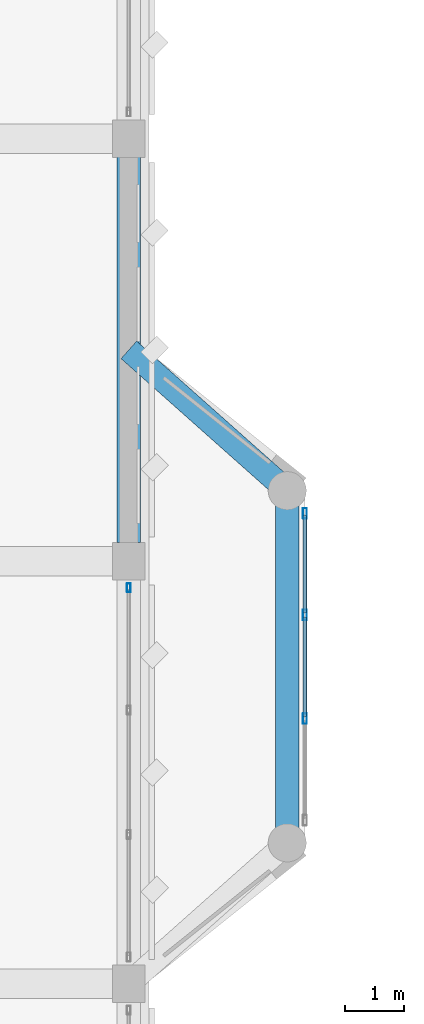
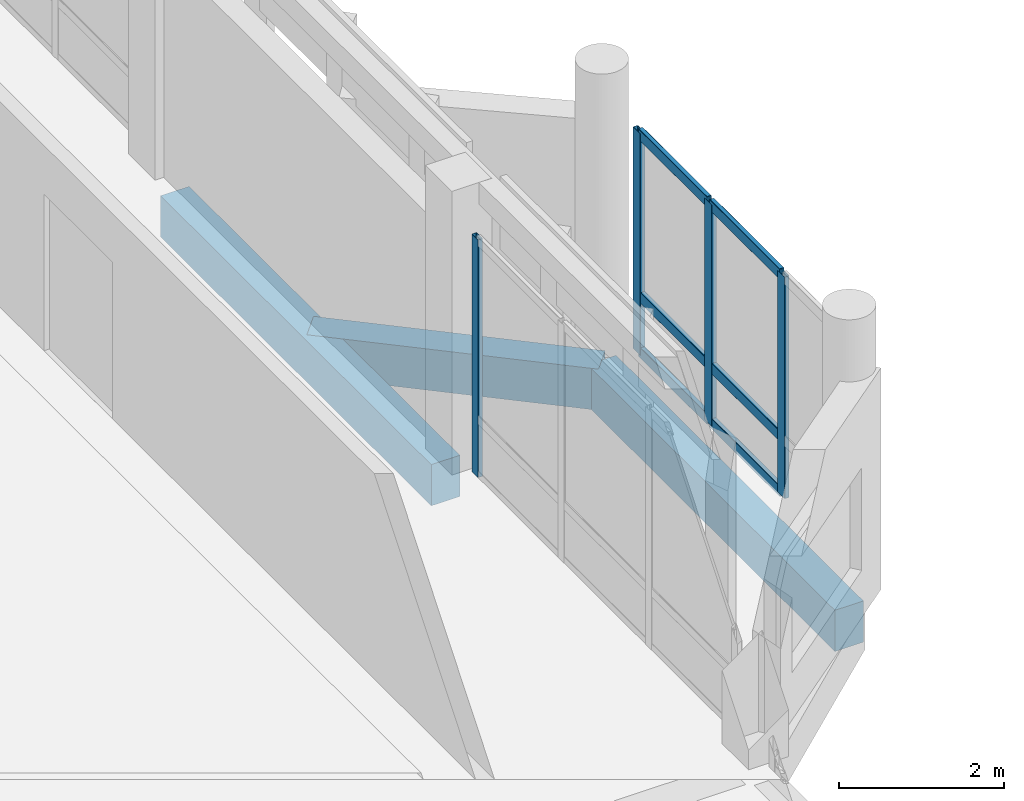
# One storey, part 37 of 158: 10 members, 3 beams, 2 elements without a shape of their own.
"""IFC4 building model written with IfcOpenShell, lengths in metres."""

from ifc_helpers import new_model, si_unit, direction, frame, origin, origin_2d, place, context, subcontext, project, spatial, rectangle, hollow_rectangle, extrude, material, material_profile, profile_set, type_object, element, aggregate, save


model = new_model("IFC4")

# Units and contexts
model_context = context("Model", 3, precision=1e-05, world=origin(), true_north=direction((0.0, 1.0)))
body_context = subcontext(model_context, "Body", "Model", "MODEL_VIEW")
ifc_project = project(units=[si_unit("LENGTHUNIT", "METRE"), si_unit("AREAUNIT", "SQUARE_METRE"), si_unit("VOLUMEUNIT", "CUBIC_METRE"), si_unit("PLANEANGLEUNIT", "RADIAN"), si_unit("MASSUNIT", "GRAM", prefix="KILO")], contexts=[model_context])

# Site, building, storey
site_placement = place(None, origin())
site = spatial("IfcSite", under=ifc_project, at=site_placement, CompositionType="ELEMENT")
building_placement = place(site_placement, origin())
building = spatial("IfcBuilding", under=site, at=building_placement, Name="Lusvemor Sports Hall", CompositionType="ELEMENT")
storey_placement = place(building_placement, frame((0.0, 0.0, 10.800048828125)))
storey = spatial("IfcBuildingStorey", under=building, at=storey_placement, Name="L02", CompositionType="ELEMENT", Elevation=10.800048828125)

# Curtain wall, members
ifc_material_1 = material(Name="Thermally broken bronze-anodized aluminium", Category="aluminium")
curtain_wall_type_1 = type_object("IfcCurtainWallType", Name="CW_FOYER_A", PredefinedType="NOTDEFINED", material=ifc_material_1)
curtain_wall_1_placement = place(storey_placement, origin())
curtain_wall_1 = element("IfcCurtainWall", 1, at=curtain_wall_1_placement, inside=storey, type_object=curtain_wall_type_1, Name="Curtain Wall CW-BOW-CT-L02-M", PredefinedType="NOTDEFINED")
ifc_material_2 = material(Name="Thermally broken bronze-anodized aluminium", Category="aluminium")
ifc_material_profile_1 = material_profile(ifc_material_2, hollow_rectangle(XDim=0.070068359375, YDim=0.179931640625, WallThickness=0.0048828125, InnerFilletRadius=0.0048828125, OuterFilletRadius=0.010009765625, at=origin_2d()), Name="CWMUL180x70x5")
ifc_profile_set_1 = profile_set([ifc_material_profile_1], Name="Thermally broken bronze-anodized aluminium")
member_type_1 = type_object("IfcMemberType", Name="CW_MUL_A", PredefinedType="MULLION", material=ifc_profile_set_1)
member_1_placement = place(storey_placement, frame((24.60009765625, 83.614990234375, 0.0), z_axis=(0.0, 0.0, 1.0), x_axis=(1.0, 0.0, 0.0)))
member_1 = element("IfcMember", 2, at=member_1_placement, type_object=member_type_1, Name="CW01 mullion 1", PredefinedType="MULLION", context=body_context, shape_type="SweptSolid", body=[
    extrude(hollow_rectangle(XDim=0.070068359375, YDim=0.179931640625, WallThickness=0.0048828125, InnerFilletRadius=0.0048828125, OuterFilletRadius=0.010009765625, at=origin_2d()), origin(), (0.0, 0.0, 1.0), 3.280029296875),
])
member_2_placement = place(storey_placement, frame((24.60009765625, 81.88330078125, 0.0), z_axis=(0.0, 0.0, 1.0), x_axis=(1.0, 0.0, 0.0)))
member_2 = element("IfcMember", 3, at=member_2_placement, type_object=member_type_1, Name="CW01 mullion 2", PredefinedType="MULLION", context=body_context, shape_type="SweptSolid", body=[
    extrude(hollow_rectangle(XDim=0.070068359375, YDim=0.179931640625, WallThickness=0.0048828125, InnerFilletRadius=0.0048828125, OuterFilletRadius=0.010009765625, at=origin_2d()), origin(), (0.0, 0.0, 1.0), 3.280029296875),
])
member_3_placement = place(storey_placement, frame((24.60009765625, 80.11669921875, 0.0), z_axis=(0.0, 0.0, 1.0), x_axis=(1.0, 0.0, 0.0)))
member_3 = element("IfcMember", 4, at=member_3_placement, type_object=member_type_1, Name="CW01 mullion 3", PredefinedType="MULLION", context=body_context, shape_type="SweptSolid", body=[
    extrude(hollow_rectangle(XDim=0.070068359375, YDim=0.179931640625, WallThickness=0.0048828125, InnerFilletRadius=0.0048828125, OuterFilletRadius=0.010009765625, at=origin_2d()), origin(), (0.0, 0.0, 1.0), 3.280029296875),
])

# Curtain wall, member
ifc_material_3 = material(Name="Thermally broken bronze-anodized aluminium", Category="aluminium")
curtain_wall_type_2 = type_object("IfcCurtainWallType", Name="CW_WING_B", PredefinedType="NOTDEFINED", material=ifc_material_3)
curtain_wall_2_placement = place(storey_placement, origin())
curtain_wall_2 = element("IfcCurtainWall", 5, at=curtain_wall_2_placement, inside=storey, type_object=curtain_wall_type_2, Name="Curtain Wall CW-L02-E-5-4", PredefinedType="NOTDEFINED")
ifc_material_4 = material(Name="Thermally broken bronze-anodized aluminium", Category="aluminium")
ifc_material_profile_2 = material_profile(ifc_material_4, hollow_rectangle(XDim=0.06494140625, YDim=0.14990234375, WallThickness=0.00390625, InnerFilletRadius=0.00390625, OuterFilletRadius=0.008056640625, at=origin_2d()), Name="CWMUL150x65x4")
ifc_profile_set_2 = profile_set([ifc_material_profile_2], Name="Thermally broken bronze-anodized aluminium")
member_type_2 = type_object("IfcMemberType", Name="CW_MUL_B", PredefinedType="MULLION", material=ifc_profile_set_2)
member_4_placement = place(storey_placement, frame((21.60009765625, 82.347412109375, 0.0), z_axis=(0.0, 0.0, 1.0), x_axis=(1.0, 0.0, 0.0)))
member_4 = element("IfcMember", 6, at=member_4_placement, type_object=member_type_2, Name="CW02 mullion 1", PredefinedType="MULLION", context=body_context, shape_type="SweptSolid", body=[
    extrude(hollow_rectangle(XDim=0.06494140625, YDim=0.14990234375, WallThickness=0.00390625, InnerFilletRadius=0.00390625, OuterFilletRadius=0.008056640625, at=origin_2d()), origin(), (0.0, 0.0, 1.0), 3.52001953125),
])
aggregate(curtain_wall_2, [member_4])

# Member
ifc_material_5 = material(Name="Thermally broken bronze-anodized aluminium", Category="aluminium")
ifc_material_profile_3 = material_profile(ifc_material_5, hollow_rectangle(XDim=0.06494140625, YDim=0.159912109375, WallThickness=0.00390625, InnerFilletRadius=0.00390625, OuterFilletRadius=0.008056640625, at=origin_2d()), Name="CWTRN160x65x4")
ifc_profile_set_3 = profile_set([ifc_material_profile_3], Name="Thermally broken bronze-anodized aluminium")
member_type_3 = type_object("IfcMemberType", Name="CW_TRN_A", PredefinedType="USERDEFINED", material=ifc_profile_set_3)
member_5_placement = place(storey_placement, frame((24.60009765625, 83.580078125, 0.032470703125), z_axis=(0.0, -1.0, 0.0), x_axis=(1.0, 0.0, 0.0)))
member_5 = element("IfcMember", 7, at=member_5_placement, type_object=member_type_3, Name="CW01 transom 1.1", ObjectType="TRANSOM", PredefinedType="USERDEFINED", context=body_context, shape_type="SweptSolid", body=[
    extrude(hollow_rectangle(XDim=0.06494140625, YDim=0.159912109375, WallThickness=0.00390625, InnerFilletRadius=0.00390625, OuterFilletRadius=0.008056640625, at=origin_2d()), origin(), (0.0, 0.0, 1.0), 1.661865234375),
])

member_6_placement = place(storey_placement, frame((24.60009765625, 83.580078125, 0.849853515625), z_axis=(0.0, -1.0, 0.0), x_axis=(1.0, 0.0, 0.0)))
member_6 = element("IfcMember", 8, at=member_6_placement, type_object=member_type_3, Name="CW01 transom 1.2", ObjectType="TRANSOM", PredefinedType="USERDEFINED", context=body_context, shape_type="SweptSolid", body=[
    extrude(hollow_rectangle(XDim=0.06494140625, YDim=0.159912109375, WallThickness=0.00390625, InnerFilletRadius=0.00390625, OuterFilletRadius=0.008056640625, at=origin_2d()), origin(), (0.0, 0.0, 1.0), 1.661865234375),
])

member_7_placement = place(storey_placement, frame((24.60009765625, 83.580078125, 3.24755859375), z_axis=(0.0, -1.0, 0.0), x_axis=(1.0, 0.0, 0.0)))
member_7 = element("IfcMember", 9, at=member_7_placement, type_object=member_type_3, Name="CW01 transom 1.3", ObjectType="TRANSOM", PredefinedType="USERDEFINED", context=body_context, shape_type="SweptSolid", body=[
    extrude(hollow_rectangle(XDim=0.06494140625, YDim=0.159912109375, WallThickness=0.00390625, InnerFilletRadius=0.00390625, OuterFilletRadius=0.008056640625, at=origin_2d()), origin(), (0.0, 0.0, 1.0), 1.661865234375),
])

member_8_placement = place(storey_placement, frame((24.60009765625, 81.848388671875, 0.032470703125), z_axis=(0.0, -1.0, 0.0), x_axis=(1.0, 0.0, 0.0)))
member_8 = element("IfcMember", 10, at=member_8_placement, type_object=member_type_3, Name="CW01 transom 2.1", ObjectType="TRANSOM", PredefinedType="USERDEFINED", context=body_context, shape_type="SweptSolid", body=[
    extrude(hollow_rectangle(XDim=0.06494140625, YDim=0.159912109375, WallThickness=0.00390625, InnerFilletRadius=0.00390625, OuterFilletRadius=0.008056640625, at=origin_2d()), origin(), (0.0, 0.0, 1.0), 1.69677734375),
])

member_9_placement = place(storey_placement, frame((24.60009765625, 81.848388671875, 0.849853515625), z_axis=(0.0, -1.0, 0.0), x_axis=(1.0, 0.0, 0.0)))
member_9 = element("IfcMember", 11, at=member_9_placement, type_object=member_type_3, Name="CW01 transom 2.2", ObjectType="TRANSOM", PredefinedType="USERDEFINED", context=body_context, shape_type="SweptSolid", body=[
    extrude(hollow_rectangle(XDim=0.06494140625, YDim=0.159912109375, WallThickness=0.00390625, InnerFilletRadius=0.00390625, OuterFilletRadius=0.008056640625, at=origin_2d()), origin(), (0.0, 0.0, 1.0), 1.69677734375),
])

member_10_placement = place(storey_placement, frame((24.60009765625, 81.848388671875, 3.24755859375), z_axis=(0.0, -1.0, 0.0), x_axis=(1.0, 0.0, 0.0)))
member_10 = element("IfcMember", 12, at=member_10_placement, type_object=member_type_3, Name="CW01 transom 2.3", ObjectType="TRANSOM", PredefinedType="USERDEFINED", context=body_context, shape_type="SweptSolid", body=[
    extrude(hollow_rectangle(XDim=0.06494140625, YDim=0.159912109375, WallThickness=0.00390625, InnerFilletRadius=0.00390625, OuterFilletRadius=0.008056640625, at=origin_2d()), origin(), (0.0, 0.0, 1.0), 1.69677734375),
])

aggregate(curtain_wall_1, [member_1, member_2, member_3, member_5, member_6, member_7, member_8, member_9, member_10])

# Beams
ifc_material_6 = material(Name="Concrete C40/50", Category="concrete")
ifc_material_profile_4 = material_profile(ifc_material_6, rectangle(XDim=0.39990234375, YDim=0.610107421875, at=origin_2d()), Name="RC400x610")
ifc_profile_set_4 = profile_set([ifc_material_profile_4], Name="Concrete C40/50")
beam_type = type_object("IfcBeamType", Name="SPAND_EXT_650", PredefinedType="SPANDREL", material=ifc_profile_set_4)
beam_1_placement = place(storey_placement, frame((21.60009765625, 83.115966796875, -0.56494140625), z_axis=(0.0, 1.0, 0.0), x_axis=(-1.0, 0.0, 0.0)))
element("IfcBeam", 13, at=beam_1_placement, inside=storey, type_object=beam_type, Name="Beam L02 3:L-M", PredefinedType="SPANDREL", context=body_context, shape_type="SweptSolid", body=[
    extrude(rectangle(XDim=0.39990234375, YDim=0.610107421875, at=origin_2d()), origin(), (0.0, 0.0, 1.0), 6.568115234375),
])
beam_2_placement = place(storey_placement, frame((21.60009765625, 86.39990234375, -0.56494140625), z_axis=(0.747416776234, -0.66435544899, 0.0), x_axis=(0.66435544899, 0.747416776234, 0.0)))
element("IfcBeam", 14, at=beam_2_placement, inside=storey, type_object=beam_type, Name="Bow Pavilion Edge Beam BOW-CT L02-1", PredefinedType="SPANDREL", context=body_context, shape_type="SweptSolid", body=[
    extrude(rectangle(XDim=0.39990234375, YDim=0.610107421875, at=origin_2d()), origin(), (0.0, 0.0, 1.0), 3.6123046875),
])
beam_3_placement = place(storey_placement, frame((24.300048828125, 84.0, -0.56494140625), z_axis=(0.0, -1.0, 0.0), x_axis=(1.0, 0.0, 0.0)))
element("IfcBeam", 15, at=beam_3_placement, inside=storey, type_object=beam_type, Name="Bow Pavilion Edge Beam BOW-CT L02-2", PredefinedType="SPANDREL", context=body_context, shape_type="SweptSolid", body=[
    extrude(rectangle(XDim=0.39990234375, YDim=0.610107421875, at=origin_2d()), origin(), (0.0, 0.0, 1.0), 6.0),
])

save(model, "model.ifc")
